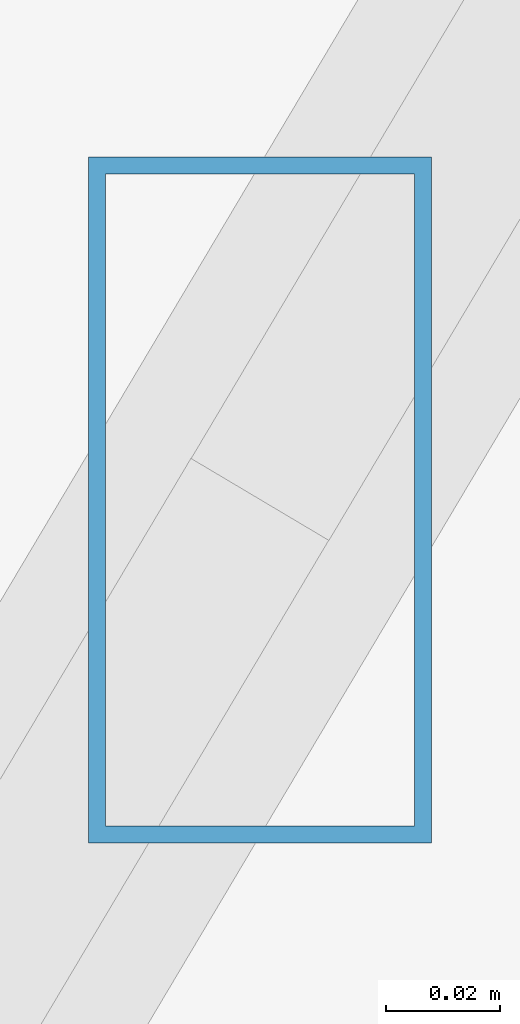
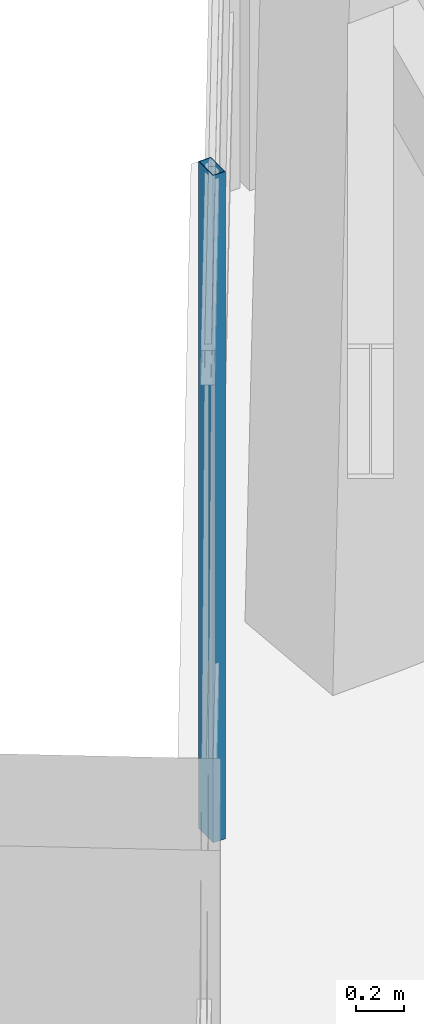
# One storey, part 31 of 42: 1 member, 1 element without a shape of its own.
"""IFC4 building model written with IfcOpenShell, lengths in metres."""

import ifcopenshell
import ifcopenshell.guid

model = None  # the IFC model being written
_history = None  # IfcOwnerHistory: only IFC2X3 demands one
_inside = {}  # id of a spatial element -> (the spatial element, [elements in it])
_under = {}  # id of a project, library or spatial element -> (it, [spatial elements below it])
_declared = {}  # id of a project -> (the project, [libraries it declares])
_typed = {}  # id of a type object -> (the type object, [elements of that type])
_made_of = {}  # id of a material, layer set ... -> (it, [elements and type objects made of it])


def new_model(schema):
    """Start an empty IFC model of exactly this schema.

    Asked for "IFC4X3", IfcOpenShell would pick the latest addendum, in which some entities
    have other attributes; the version numbers below select the first issue.
    IFC2X3 requires an IfcOwnerHistory on every rooted entity: one is made here for all.
    """
    global model, _history
    if schema == "IFC4X3":
        model = ifcopenshell.file(schema_version=(4, 3, 0, 0))
    else:
        model = ifcopenshell.file(schema=schema)
    _inside.clear()
    _under.clear()
    _declared.clear()
    _typed.clear()
    _made_of.clear()
    _history = None
    if model.schema == "IFC2X3":
        org = make("IfcOrganization", Name="unknown")
        user = make(
            "IfcPersonAndOrganization",
            ThePerson=make("IfcPerson", FamilyName="unknown"),
            TheOrganization=org,
        )
        app = make(
            "IfcApplication",
            ApplicationDeveloper=org,
            Version="unknown",
            ApplicationFullName="unknown",
            ApplicationIdentifier="unknown",
        )
        _history = make(
            "IfcOwnerHistory",
            OwningUser=user,
            OwningApplication=app,
            ChangeAction="ADDED",
            CreationDate=0,
        )
    return model


def make(cls, **values):
    """One entity of the class cls with the attributes given. An attribute that is None is left unset."""
    return model.create_entity(
        cls, **{name: value for name, value in values.items() if value is not None}
    )


def rooted(cls, **values):
    """An entity with a GlobalId (a new one), such as an element, a storey or a relation."""
    return make(cls, GlobalId=ifcopenshell.guid.new(), OwnerHistory=_history, **values)


def si_unit(unit_type, name, prefix=None):
    """IfcSIUnit, for example si_unit("LENGTHUNIT", "METRE", prefix="MILLI")."""
    return make("IfcSIUnit", UnitType=unit_type, Prefix=prefix, Name=name)


def assignment(units):
    """IfcUnitAssignment: the units of a project."""
    return None if units is None else make("IfcUnitAssignment", Units=units)


def point(xyz):
    """IfcCartesianPoint."""
    return None if xyz is None else make("IfcCartesianPoint", Coordinates=xyz)


def direction(xyz):
    """IfcDirection."""
    return None if xyz is None else make("IfcDirection", DirectionRatios=xyz)


def frame(location, z_axis=None, x_axis=None):
    """IfcAxis2Placement3D, a coordinate frame: its origin and axes. An axis left out is left unset."""
    return make(
        "IfcAxis2Placement3D",
        Location=point(location),
        Axis=direction(z_axis),
        RefDirection=direction(x_axis),
    )


def frame_2d(location, x_axis=None):
    """IfcAxis2Placement2D, a coordinate frame in the plane: its origin and x axis."""
    return make(
        "IfcAxis2Placement2D", Location=point(location), RefDirection=direction(x_axis)
    )


def origin():
    """The frame at (0, 0, 0) with its axes left unset."""
    return frame((0.0, 0.0, 0.0))


def origin_2d():
    """The frame at (0, 0) in the plane with its x axis left unset."""
    return frame_2d((0.0, 0.0))


def place(relative_to, where):
    """IfcLocalPlacement: puts the frame where relative to a parent placement (None: the world)."""
    return make(
        "IfcLocalPlacement", PlacementRelTo=relative_to, RelativePlacement=where
    )


def context(
    kind, dimensions, precision=None, world=None, true_north=None, identifier=None
):
    """IfcGeometricRepresentationContext, for example the 3D "Model" context."""
    return make(
        "IfcGeometricRepresentationContext",
        ContextIdentifier=identifier,
        ContextType=kind,
        CoordinateSpaceDimension=dimensions,
        Precision=precision,
        WorldCoordinateSystem=world,
        TrueNorth=true_north,
    )


def subcontext(parent, identifier, kind, view, scale=None):
    """IfcGeometricRepresentationSubContext, for example "Body" below "Model"."""
    return make(
        "IfcGeometricRepresentationSubContext",
        ContextIdentifier=identifier,
        ContextType=kind,
        ParentContext=parent,
        TargetScale=scale,
        TargetView=view,
    )


def project(units=None, contexts=None):
    """IfcProject with its units and contexts."""
    return rooted(
        "IfcProject",
        Name="project",
        RepresentationContexts=contexts,
        UnitsInContext=assignment(units),
    )


def spatial(cls, under=None, at=None, **own):
    """A site, building, storey or space (cls), placed at a placement, below another one or the project."""
    s = rooted(cls, ObjectPlacement=at, **own)
    if under is not None:
        _under.setdefault(under.id(), (under, []))[1].append(s)
    return s


def profile(cls, at=None, kind="AREA", **sizes):
    """A parametric profile (cls). Its sizes go by their IFC names, for example OverallWidth=200.0."""
    return make(cls, ProfileType=kind, Position=at, **sizes)


def hollow_rectangle(**sizes):
    """IfcRectangleHollowProfileDef."""
    return profile("IfcRectangleHollowProfileDef", **sizes)


def extrude(swept, where, along, depth):
    """IfcExtrudedAreaSolid: the profile swept, set in the frame where, extruded along a direction by depth."""
    return make(
        "IfcExtrudedAreaSolid",
        SweptArea=swept,
        Position=where,
        ExtrudedDirection=direction(along),
        Depth=depth,
    )


def shape(context_of_items, identifier, shape_type, items):
    """IfcShapeRepresentation: the items that make up one representation, for example the "Body"."""
    return make(
        "IfcShapeRepresentation",
        ContextOfItems=context_of_items,
        RepresentationIdentifier=identifier,
        RepresentationType=shape_type,
        Items=items,
    )


def source(mapping_origin, context_of_items, identifier, shape_type, items):
    """IfcRepresentationMap: a shape defined once, which mapped items show again and again."""
    return make(
        "IfcRepresentationMap",
        MappingOrigin=mapping_origin,
        MappedRepresentation=shape(context_of_items, identifier, shape_type, items),
    )


def transform(
    local_origin,
    x_axis=None,
    y_axis=None,
    z_axis=None,
    scale=None,
    scale2=None,
    scale3=None,
    uniform=True,
):
    """IfcCartesianTransformationOperator3D, or its non-uniform kind. x_axis, y_axis, z_axis: its Axis1, 2, 3."""
    if uniform:
        return make(
            "IfcCartesianTransformationOperator3D",
            Axis1=direction(x_axis),
            Axis2=direction(y_axis),
            LocalOrigin=point(local_origin),
            Scale=scale,
            Axis3=direction(z_axis),
        )
    return make(
        "IfcCartesianTransformationOperator3DnonUniform",
        Axis1=direction(x_axis),
        Axis2=direction(y_axis),
        LocalOrigin=point(local_origin),
        Scale=scale,
        Axis3=direction(z_axis),
        Scale2=scale2,
        Scale3=scale3,
    )


def mapped(mapping_source, mapping_target):
    """IfcMappedItem: shows the shape of a source again, moved by a transform."""
    return make(
        "IfcMappedItem", MappingSource=mapping_source, MappingTarget=mapping_target
    )


def material(Name=None, Category=None):
    """IfcMaterial."""
    return make("IfcMaterial", Name=Name, Category=Category)


def material_profile(
    of_material, cross_section, Name=None, Category=None, Priority=None
):
    """IfcMaterialProfile: a cross section and its material."""
    return make(
        "IfcMaterialProfile",
        Name=Name,
        Material=of_material,
        Profile=cross_section,
        Priority=Priority,
        Category=Category,
    )


def profile_set(profiles, Name=None, composite=None):
    """IfcMaterialProfileSet."""
    return make(
        "IfcMaterialProfileSet",
        Name=Name,
        MaterialProfiles=profiles,
        CompositeProfile=composite,
    )


def made_of(thing, what):
    """Note that an element or type object is made of a material, layer set ...; save() writes the relation."""
    if what is not None:
        _made_of.setdefault(what.id(), (what, []))[1].append(thing)
    return thing


def type_object(cls, material=None, **own):
    """A type object (cls), such as IfcWallType, which elements share."""
    return made_of(rooted(cls, **own), material)


def type_shapes(of_type, sources):
    """Give a type object the sources (RepresentationMaps) that its elements show as mapped items."""
    of_type.RepresentationMaps = sources


def element(
    cls,
    number,
    at=None,
    inside=None,
    cuts=None,
    type_object=None,
    material=None,
    context=None,
    identifier="Body",
    shape_type=None,
    held_by="IfcProductDefinitionShape",
    body=None,
    shapes=None,
    **own,
):
    """One element of the class cls, such as IfcWall. Its Tag is "e" and its number.

    at: its placement. inside: the storey or other place that contains it. cuts: it is an
    opening in that element (IfcRelVoidsElement). A single representation is given by context,
    identifier, shape_type and body (its items); several are given by shapes. held_by: the class
    of the entity that holds the representations. save() writes the other relations.
    """
    e = rooted(cls, Tag="e%d" % number, ObjectPlacement=at, **own)
    if body is not None:
        shapes = [shape(context, identifier, shape_type, body)]
    if shapes is not None:
        e.Representation = make(held_by, Representations=shapes)
    if inside is not None:
        _inside.setdefault(inside.id(), (inside, []))[1].append(e)
    if cuts is not None:
        rooted(
            "IfcRelVoidsElement", RelatingBuildingElement=cuts, RelatedOpeningElement=e
        )
    if type_object is not None:
        _typed.setdefault(type_object.id(), (type_object, []))[1].append(e)
    return made_of(e, material)


def aggregate(whole, parts):
    """IfcRelAggregates: a whole, such as a stair, and the parts it consists of."""
    return rooted("IfcRelAggregates", RelatingObject=whole, RelatedObjects=parts)


def save(model, path):
    """Write the relations noted so far, then the file.

    IfcRelAggregates (storeys below a building ...), IfcRelContainedInSpatialStructure (elements
    in a storey), IfcRelDefinesByType, IfcRelAssociatesMaterial and IfcRelDeclares: one each for
    every whole, place, type object, material and project.
    """
    for whole, parts in _under.values():
        aggregate(whole, parts)
    for where, things in _inside.values():
        rooted(
            "IfcRelContainedInSpatialStructure",
            RelatedElements=things,
            RelatingStructure=where,
        )
    for kind, things in _typed.values():
        rooted("IfcRelDefinesByType", RelatedObjects=things, RelatingType=kind)
    for what, things in _made_of.values():
        rooted("IfcRelAssociatesMaterial", RelatedObjects=things, RelatingMaterial=what)
    for by, libraries in _declared.values():
        rooted("IfcRelDeclares", RelatingContext=by, RelatedDefinitions=libraries)
    model.write(path)


model = new_model("IFC4")

# Units and contexts
model_context = context("Model", 3, precision=1e-05, world=origin(), true_north=direction((0.0, 1.0)))
body_context = subcontext(model_context, "Body", "Model", "MODEL_VIEW")
ifc_project = project(units=[si_unit("LENGTHUNIT", "METRE"), si_unit("AREAUNIT", "SQUARE_METRE"), si_unit("VOLUMEUNIT", "CUBIC_METRE"), si_unit("PLANEANGLEUNIT", "RADIAN"), si_unit("MASSUNIT", "GRAM", prefix="KILO")], contexts=[model_context])

# Site, building, storey
site_placement = place(None, origin())
site = spatial("IfcSite", under=ifc_project, at=site_placement, CompositionType="ELEMENT")
building_placement = place(site_placement, origin())
building = spatial("IfcBuilding", under=site, at=building_placement, Name="Caelisora Broadcast Tower", CompositionType="ELEMENT")
storey_placement = place(building_placement, frame((0.0, 0.0, 244.449951171875)))
storey = spatial("IfcBuildingStorey", under=building, at=storey_placement, Name="L64", CompositionType="ELEMENT", Elevation=244.449951171875)

# Curtain wall, member
ifc_material_1 = material(Name="Unitised Aluminium and Low-E Glass Curtain Wall", Category="glass")
curtain_wall_type = type_object("IfcCurtainWallType", Name="CW-Z5", PredefinedType="NOTDEFINED", material=ifc_material_1)
curtain_wall_placement = place(storey_placement, origin())
curtain_wall = element("IfcCurtainWall", 1, at=curtain_wall_placement, inside=storey, type_object=curtain_wall_type, Name="L64 curtain wall CW-Z5", PredefinedType="NOTDEFINED")
ifc_material_2 = material(Name="Aluminium 6063-T6 Anodised Terracotta Bronze", Category="aluminium")
ifc_material_profile = material_profile(ifc_material_2, hollow_rectangle(XDim=0.06005859375, YDim=0.1201171875, WallThickness=0.0029296875, at=origin_2d()), Name="Aluminium 6063-T6 Anodised Terracotta Bronze")
ifc_profile_set = profile_set([ifc_material_profile], Name="Aluminium 6063-T6 Anodised Terracotta Bronze")
member_type = type_object("IfcMemberType", Name="CWM-04", PredefinedType="MULLION", material=ifc_profile_set)
shared_shape = source(origin(), body_context, "Body", "SweptSolid", [
    extrude(hollow_rectangle(XDim=0.06005859375, YDim=0.1201171875, WallThickness=0.0029296875, at=origin_2d()), origin(), (0.0, 0.0, 1.0), 3.400146484375),
])
type_shapes(member_type, [shared_shape])
member_placement = place(storey_placement, frame((32.635986328125, 45.697265625, 0.0), z_axis=(0.0, 0.0, 1.0), x_axis=(1.0, 0.0, 0.0)))
member = element("IfcMember", 2, at=member_placement, type_object=member_type, Name="L64-CW-B11 mullion #2", PredefinedType="MULLION", context=body_context, shape_type="MappedRepresentation", body=[
    mapped(shared_shape, transform((0.0, 0.0, 0.0), scale=1.0)),
])
aggregate(curtain_wall, [member])

save(model, "model.ifc")
